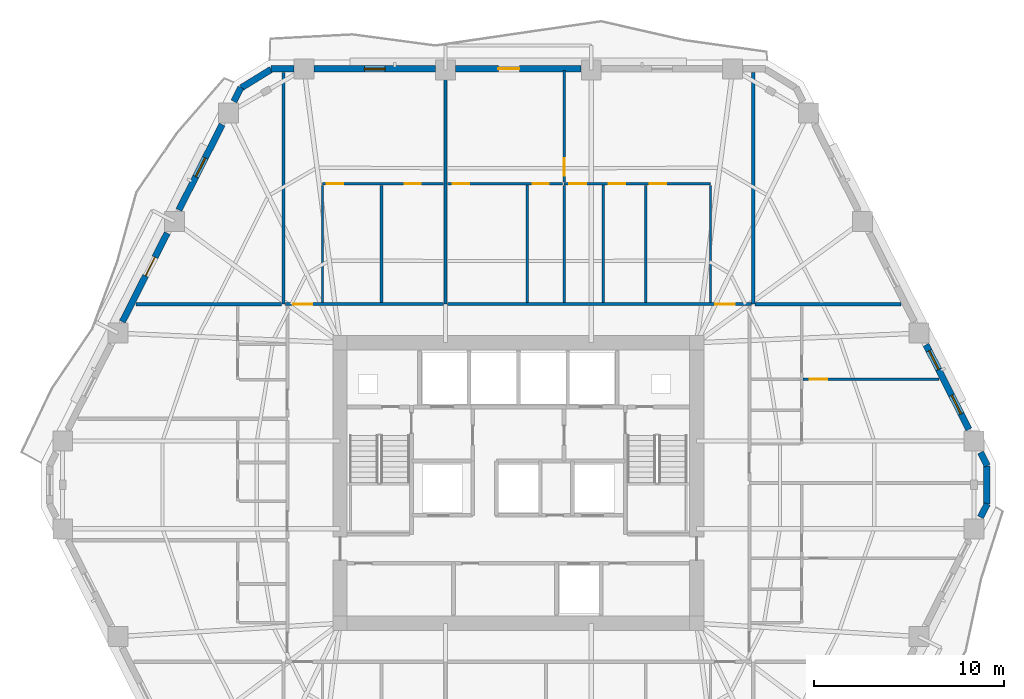
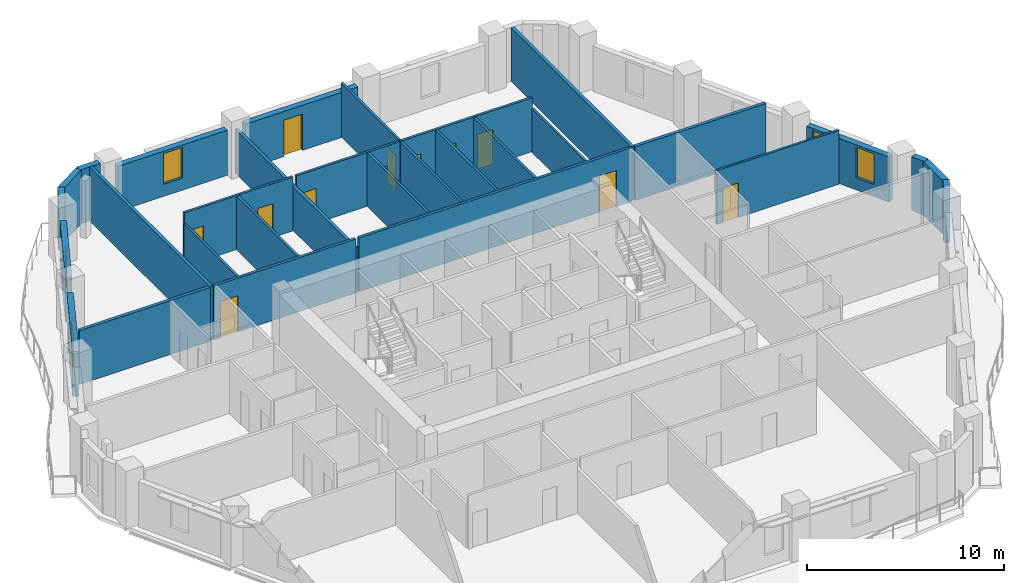
# One storey, part 7 of 12: 30 walls, 13 doors, 4 windows, 17 openings.
"""IFC4 building model written with IfcOpenShell, lengths in metres."""

from ifc_helpers import new_model, si_unit, direction, frame, frame_2d, origin, place, context, subcontext, project, spatial, rectangle, extrude, material, layer, layer_set, type_object, element, fill, save


model = new_model("IFC4")

# Units and contexts
model_context = context("Model", 3, precision=1e-05, world=origin(), true_north=direction((0.0, 1.0)))
body_context = subcontext(model_context, "Body", "Model", "MODEL_VIEW")
ifc_project = project(units=[si_unit("LENGTHUNIT", "METRE"), si_unit("AREAUNIT", "SQUARE_METRE"), si_unit("VOLUMEUNIT", "CUBIC_METRE"), si_unit("PLANEANGLEUNIT", "RADIAN"), si_unit("MASSUNIT", "GRAM", prefix="KILO")], contexts=[model_context])

# Site, building, storey
site_placement = place(None, origin())
site = spatial("IfcSite", under=ifc_project, at=site_placement, CompositionType="ELEMENT")
building_placement = place(site_placement, origin())
building = spatial("IfcBuilding", under=site, at=building_placement, Name="Cinnabar Lancet Tower", CompositionType="ELEMENT")
storey_placement = place(building_placement, frame((0.0, 0.0, 137.449951171875)))
storey = spatial("IfcBuildingStorey", under=building, at=storey_placement, Name="L36", CompositionType="ELEMENT", Elevation=137.449951171875)

# Wall, opening, door
ifc_material_1 = material(Name="Acoustic twin-stud gypsum partition", Category="gypsum")
ifc_layer_1 = layer(ifc_material_1, 0.159912109375)
ifc_layer_set_1 = layer_set([ifc_layer_1], Name="Acoustic twin-stud gypsum partition")
wall_type_1 = type_object("IfcWallType", Name="ARC-WL-CORR-160", PredefinedType="PARTITIONING", material=ifc_layer_set_1)
wall_1_placement = place(storey_placement, frame((20.14501953125, 35.300048828125, 0.0), z_axis=(0.0, 0.0, 1.0), x_axis=(1.0, 0.0, 0.0)))
wall_1 = element("IfcWall", 1, at=wall_1_placement, inside=storey, type_object=wall_type_1, Name="L36 Unit N01 Corridor Wall", PredefinedType="PARTITIONING", context=body_context, shape_type="SweptSolid", body=[
    extrude(rectangle(XDim=8.327880859375, YDim=0.159912109375, at=frame_2d((4.1640625, 0.0))), origin(), (0.0, 0.0, 1.0), 3.340087890625),
])
opening_1_placement = place(wall_1_placement, frame((0.405029296875, 0.0, 0.0)))
opening_1 = element("IfcOpeningElement", 2, at=opening_1_placement, cuts=wall_1, Name="Opening UD-01", PredefinedType="OPENING", context=body_context, shape_type="SweptSolid", body=[
    extrude(rectangle(XDim=1.02001953125, YDim=2.25, at=frame_2d((0.510009765625, 1.125))), frame((0.0, 0.08984375, 0.0), z_axis=(0.0, -1.0, 0.0), x_axis=(1.0, 0.0, 0.0)), (0.0, 0.0, 1.0), 0.179931640625),
])
ifc_material_2 = material(Name="Solid timber fire-rated apartment entrance door", Category="wood")
door_type_1 = type_object("IfcDoorType", Name="ARC-DR-UNIT", OperationType="NOTDEFINED", PredefinedType="DOOR", material=ifc_material_2)
door_1_placement = place(opening_1_placement, origin())
door_1 = element("IfcDoor", 3, at=door_1_placement, inside=storey, type_object=door_type_1, Name="DR-L36-N01-ENT", OperationType="SINGLE_SWING_RIGHT", OverallHeight=2.25, OverallWidth=1.02001953125, PredefinedType="DOOR", context=body_context, shape_type="SweptSolid", body=[
    extrude(rectangle(XDim=1.02001953125, YDim=2.25, at=frame_2d((0.510009765625, 1.125))), frame((0.0, 0.02490234375, 0.0), z_axis=(0.0, -1.0, 0.0), x_axis=(1.0, 0.0, 0.0)), (0.0, 0.0, 1.0), 0.050048828125),
])
fill(opening_1, door_1)

wall_2_placement = place(storey_placement, frame((28.6630859375, 35.300048828125, 0.0), z_axis=(0.0, 0.0, 1.0), x_axis=(1.0, 0.0, 0.0)))
wall_2 = element("IfcWall", 4, at=wall_2_placement, inside=storey, type_object=wall_type_1, Name="L36 Unit N02 Corridor Wall", PredefinedType="PARTITIONING", context=body_context, shape_type="SweptSolid", body=[
    extrude(rectangle(XDim=15.991943359375, YDim=0.159912109375, at=frame_2d((7.99609375, 0.0))), origin(), (0.0, 0.0, 1.0), 3.340087890625),
])
opening_2_placement = place(wall_2_placement, frame((14.0869140625, 0.0, 0.0)))
opening_2 = element("IfcOpeningElement", 5, at=opening_2_placement, cuts=wall_2, Name="Opening UD-01", PredefinedType="OPENING", context=body_context, shape_type="SweptSolid", body=[
    extrude(rectangle(XDim=1.02001953125, YDim=2.25, at=frame_2d((0.510009765625, 1.125))), frame((0.0, 0.08984375, 0.0), z_axis=(0.0, -1.0, 0.0), x_axis=(1.0, 0.0, 0.0)), (0.0, 0.0, 1.0), 0.179931640625),
])
door_2_placement = place(opening_2_placement, origin())
door_2 = element("IfcDoor", 6, at=door_2_placement, inside=storey, type_object=door_type_1, Name="DR-L36-N02-ENT", OperationType="SINGLE_SWING_LEFT", OverallHeight=2.25, OverallWidth=1.02001953125, PredefinedType="DOOR", context=body_context, shape_type="SweptSolid", body=[
    extrude(rectangle(XDim=1.02001953125, YDim=2.25, at=frame_2d((0.510009765625, 1.125))), frame((0.0, 0.02490234375, 0.0), z_axis=(0.0, -1.0, 0.0), x_axis=(1.0, 0.0, 0.0)), (0.0, 0.0, 1.0), 0.050048828125),
])
fill(opening_2, door_2)

# Walls
ifc_material_3 = material(Name="Fire-rated twin-frame acoustic drywall", Category="gypsum")
ifc_layer_2 = layer(ifc_material_3, 0.179931640625)
ifc_layer_set_2 = layer_set([ifc_layer_2], Name="Fire-rated twin-frame acoustic drywall")
wall_type_2 = type_object("IfcWallType", Name="ARC-WL-PARTY-180", PredefinedType="PARTITIONING", material=ifc_layer_set_2)
wall_3_placement = place(storey_placement, frame((20.050048828125, 35.300048828125, 0.0), z_axis=(0.0, 0.0, 1.0), x_axis=(0.0, 1.0, 0.0)))
element("IfcWall", 7, at=wall_3_placement, inside=storey, type_object=wall_type_2, Name="PW-L36-NPTY-200", PredefinedType="PARTITIONING", context=body_context, shape_type="SweptSolid", body=[
    extrude(rectangle(XDim=12.195068359375, YDim=0.179931640625, at=frame_2d((6.09765625, 0.0))), origin(), (0.0, 0.0, 1.0), 3.340087890625),
])
wall_4_placement = place(storey_placement, frame((28.568115234375, 35.300048828125, 0.0), z_axis=(0.0, 0.0, 1.0), x_axis=(0.0, 1.0, 0.0)))
element("IfcWall", 8, at=wall_4_placement, inside=storey, type_object=wall_type_2, Name="PW-L36-NPTY-286", PredefinedType="PARTITIONING", context=body_context, shape_type="SweptSolid", body=[
    extrude(rectangle(XDim=12.195068359375, YDim=0.179931640625, at=frame_2d((6.09765625, 0.0))), origin(), (0.0, 0.0, 1.0), 2.72216796875),
])
wall_5_placement = place(storey_placement, frame((44.75, 35.300048828125, 0.0), z_axis=(0.0, 0.0, 1.0), x_axis=(0.0, 1.0, 0.0)))
element("IfcWall", 9, at=wall_5_placement, inside=storey, type_object=wall_type_2, Name="PW-L36-NPTY-448", PredefinedType="PARTITIONING", context=body_context, shape_type="SweptSolid", body=[
    extrude(rectangle(XDim=12.195068359375, YDim=0.179931640625, at=frame_2d((6.09765625, 0.0))), origin(), (0.0, 0.0, 1.0), 3.340087890625),
])
wall_6_placement = place(storey_placement, frame((12.285888671875, 35.300048828125, 0.0), z_axis=(0.0, 0.0, 1.0), x_axis=(1.0, 0.0, 0.0)))
element("IfcWall", 10, at=wall_6_placement, inside=storey, type_object=wall_type_2, Name="PW-L36-WNB", PredefinedType="PARTITIONING", context=body_context, shape_type="SweptSolid", body=[
    extrude(rectangle(XDim=7.669189453125, YDim=0.179931640625, at=frame_2d((3.83447265625, 0.0))), origin(), (0.0, 0.0, 1.0), 3.340087890625),
])
wall_7_placement = place(storey_placement, frame((44.844970703125, 35.300048828125, 0.0), z_axis=(0.0, 0.0, 1.0), x_axis=(1.0, 0.0, 0.0)))
element("IfcWall", 11, at=wall_7_placement, inside=storey, type_object=wall_type_2, Name="PW-L36-ENB", PredefinedType="PARTITIONING", context=body_context, shape_type="SweptSolid", body=[
    extrude(rectangle(XDim=7.6689453125, YDim=0.179931640625, at=frame_2d((3.83447265625, 0.0))), origin(), (0.0, 0.0, 1.0), 3.340087890625),
])
ifc_material_4 = material(Name="Gypsum plasterboard stud partition", Category="gypsum")
ifc_layer_3 = layer(ifc_material_4, 0.125)
ifc_layer_set_3 = layer_set([ifc_layer_3], Name="Gypsum plasterboard stud partition")
wall_type_3 = type_object("IfcWallType", Name="ARC-WL-UNIT-125", PredefinedType="PARTITIONING", material=ifc_layer_set_3)
for number, where, z_axis, x_axis, name in (
    (12, (22.10009765625, 35.385009765625, 0.0), (0.0, 0.0, 1.0), (0.0, 1.0, 0.0), "UW-L36-N01-FOYE"),
    (13, (42.5, 35.385009765625, 0.0), (0.0, 0.0, 1.0), (0.0, 1.0, 0.0), "UW-L36-N02-FOYW"),
):
    element("IfcWall", number, at=place(storey_placement, frame(where, z_axis=z_axis, x_axis=x_axis)), inside=storey, type_object=wall_type_3, Name=name, PredefinedType="PARTITIONING", context=body_context, shape_type="SweptSolid", body=[
        extrude(rectangle(XDim=6.15087890625, YDim=0.125, at=frame_2d((3.075439453125, 0.0))), origin(), (0.0, 0.0, 1.0), 2.72216796875),
    ])

# Wall, opening, door
wall_8_placement = place(storey_placement, frame((34.802978515625, 41.716064453125, 0.0), z_axis=(0.0, 0.0, 1.0), x_axis=(0.0, 1.0, 0.0)))
wall_8 = element("IfcWall", 14, at=wall_8_placement, inside=storey, type_object=wall_type_3, Name="UW-L36-N02-MBW", PredefinedType="PARTITIONING", context=body_context, shape_type="SweptSolid", body=[
    extrude(rectangle(XDim=5.868896484375, YDim=0.125, at=frame_2d((2.9345703125, 0.0))), origin(), (0.0, 0.0, 1.0), 3.340087890625),
])
opening_3_placement = place(wall_8_placement, frame((0.35009765625, 0.0, 0.0)))
opening_3 = element("IfcOpeningElement", 15, at=opening_3_placement, cuts=wall_8, Name="Opening RD-01", PredefinedType="OPENING", context=body_context, shape_type="SweptSolid", body=[
    extrude(rectangle(XDim=0.919921875, YDim=2.14990234375, at=frame_2d((0.4599609375, 1.074951171875))), frame((0.0, 0.072509765625, 0.0), z_axis=(0.0, -1.0, 0.0), x_axis=(1.0, 0.0, 0.0)), (0.0, 0.0, 1.0), 0.14501953125),
])
ifc_material_5 = material(Name="Engineered timber bedroom door", Category="wood")
door_type_2 = type_object("IfcDoorType", Name="ARC-DR-ROOM", OperationType="NOTDEFINED", PredefinedType="DOOR", material=ifc_material_5)
door_3_placement = place(opening_3_placement, origin())
door_3 = element("IfcDoor", 16, at=door_3_placement, inside=storey, type_object=door_type_2, Name="DR-L36-N02-MBD", OperationType="SINGLE_SWING_RIGHT", OverallHeight=2.14990234375, OverallWidth=0.919921875, PredefinedType="DOOR", context=body_context, shape_type="SweptSolid", body=[
    extrude(rectangle(XDim=0.919921875, YDim=2.14990234375, at=frame_2d((0.4599609375, 1.074951171875))), frame((0.0, 0.02490234375, 0.0), z_axis=(0.0, -1.0, 0.0), x_axis=(1.0, 0.0, 0.0)), (0.0, 0.0, 1.0), 0.050048828125),
])
fill(opening_3, door_3)

wall_9_placement = place(storey_placement, frame((47.375, 31.35205078125, 0.0), z_axis=(0.0, 0.0, 1.0), x_axis=(1.0, 0.0, 0.0)))
wall_9 = element("IfcWall", 17, at=wall_9_placement, inside=storey, type_object=wall_type_3, Name="UW-L36-E02-MBN", PredefinedType="PARTITIONING", context=body_context, shape_type="SweptSolid", body=[
    extrude(rectangle(XDim=7.152099609375, YDim=0.125, at=frame_2d((3.576171875, 0.0))), origin(), (0.0, 0.0, 1.0), 3.340087890625),
])
opening_4_placement = place(wall_9_placement, frame((0.35009765625, 0.0, 0.0)))
opening_4 = element("IfcOpeningElement", 18, at=opening_4_placement, cuts=wall_9, Name="Opening RD-01", PredefinedType="OPENING", context=body_context, shape_type="SweptSolid", body=[
    extrude(rectangle(XDim=0.919921875, YDim=2.14990234375, at=frame_2d((0.4599609375, 1.074951171875))), frame((0.0, 0.072509765625, 0.0), z_axis=(0.0, -1.0, 0.0), x_axis=(1.0, 0.0, 0.0)), (0.0, 0.0, 1.0), 0.14501953125),
])
door_4_placement = place(opening_4_placement, origin())
door_4 = element("IfcDoor", 19, at=door_4_placement, inside=storey, type_object=door_type_2, Name="DR-L36-E02-MBD", OperationType="SINGLE_SWING_LEFT", OverallHeight=2.14990234375, OverallWidth=0.919921875, PredefinedType="DOOR", context=body_context, shape_type="SweptSolid", body=[
    extrude(rectangle(XDim=0.919921875, YDim=2.14990234375, at=frame_2d((0.4599609375, 1.074951171875))), frame((0.0, 0.02490234375, 0.0), z_axis=(0.0, -1.0, 0.0), x_axis=(1.0, 0.0, 0.0)), (0.0, 0.0, 1.0), 0.050048828125),
])
fill(opening_4, door_4)

# Wall, openings, doors
ifc_material_6 = material(Name="Moisture-resistant cement-board plumbing wall", Category="masonry")
ifc_layer_4 = layer(ifc_material_6, 0.139892578125)
ifc_layer_set_4 = layer_set([ifc_layer_4], Name="Moisture-resistant cement-board plumbing wall")
wall_type_4 = type_object("IfcWallType", Name="ARC-WL-WET-140", PredefinedType="PLUMBINGWALL", material=ifc_layer_set_4)
wall_10_placement = place(storey_placement, frame((22.10009765625, 41.64111328125, 0.0), z_axis=(0.0, 0.0, 1.0), x_axis=(1.0, 0.0, 0.0)))
wall_10 = element("IfcWall", 20, at=wall_10_placement, inside=storey, type_object=wall_type_4, Name="UW-L36-N01-SPL", PredefinedType="PLUMBINGWALL", context=body_context, shape_type="SweptSolid", body=[
    extrude(rectangle(XDim=6.372802734375, YDim=0.139892578125, at=frame_2d((3.1865234375, 0.0))), origin(), (0.0, 0.0, 1.0), 3.340087890625),
])
opening_5_placement = place(wall_10_placement, frame((4.31396484375, 0.0, 0.0)))
opening_5 = element("IfcOpeningElement", 21, at=opening_5_placement, cuts=wall_10, Name="Opening BD-01", PredefinedType="OPENING", context=body_context, shape_type="SweptSolid", body=[
    extrude(rectangle(XDim=0.860107421875, YDim=2.10009765625, at=frame_2d((0.43017578125, 1.050048828125))), frame((0.0, 0.079833984375, 0.0), z_axis=(0.0, -1.0, 0.0), x_axis=(1.0, 0.0, 0.0)), (0.0, 0.0, 1.0), 0.159912109375),
])
opening_6_placement = place(wall_10_placement, frame((0.219970703125, 0.0, 0.0)))
opening_6 = element("IfcOpeningElement", 22, at=opening_6_placement, cuts=wall_10, Name="Opening RD-02", PredefinedType="OPENING", context=body_context, shape_type="SweptSolid", body=[
    extrude(rectangle(XDim=0.8798828125, YDim=2.14990234375, at=frame_2d((0.43994140625, 1.074951171875))), frame((0.0, 0.079833984375, 0.0), z_axis=(0.0, -1.0, 0.0), x_axis=(1.0, 0.0, 0.0)), (0.0, 0.0, 1.0), 0.159912109375),
])
ifc_material_7 = material(Name="Moisture-resistant timber bathroom door", Category="wood")
door_type_3 = type_object("IfcDoorType", Name="ARC-DR-BATH", OperationType="NOTDEFINED", PredefinedType="DOOR", material=ifc_material_7)
door_5_placement = place(opening_5_placement, origin())
door_5 = element("IfcDoor", 23, at=door_5_placement, inside=storey, type_object=door_type_3, Name="DR-L36-N01-BTH", OperationType="SINGLE_SWING_RIGHT", OverallHeight=2.10009765625, OverallWidth=0.860107421875, PredefinedType="DOOR", context=body_context, shape_type="SweptSolid", body=[
    extrude(rectangle(XDim=0.860107421875, YDim=2.10009765625, at=frame_2d((0.43017578125, 1.050048828125))), frame((0.0, 0.02490234375, 0.0), z_axis=(0.0, -1.0, 0.0), x_axis=(1.0, 0.0, 0.0)), (0.0, 0.0, 1.0), 0.050048828125),
])
fill(opening_5, door_5)
ifc_material_8 = material(Name="Engineered timber study door", Category="wood")
door_type_4 = type_object("IfcDoorType", Name="ARC-DR-STUDY", OperationType="NOTDEFINED", PredefinedType="DOOR", material=ifc_material_8)
door_6_placement = place(opening_6_placement, origin())
door_6 = element("IfcDoor", 24, at=door_6_placement, inside=storey, type_object=door_type_4, Name="DR-L36-N01-KIT", OperationType="SINGLE_SWING_LEFT", OverallHeight=2.14990234375, OverallWidth=0.8798828125, PredefinedType="DOOR", context=body_context, shape_type="SweptSolid", body=[
    extrude(rectangle(XDim=0.8798828125, YDim=2.14990234375, at=frame_2d((0.43994140625, 1.074951171875))), frame((0.0, 0.02490234375, 0.0), z_axis=(0.0, -1.0, 0.0), x_axis=(1.0, 0.0, 0.0)), (0.0, 0.0, 1.0), 0.050048828125),
])
fill(opening_6, door_6)

# Wall
wall_11_placement = place(storey_placement, frame((25.205078125, 35.385009765625, 0.0), z_axis=(0.0, 0.0, 1.0), x_axis=(0.0, 1.0, 0.0)))
element("IfcWall", 25, at=wall_11_placement, inside=storey, type_object=wall_type_4, Name="UW-L36-N01-KDV", PredefinedType="PLUMBINGWALL", context=body_context, shape_type="SweptSolid", body=[
    extrude(rectangle(XDim=6.15087890625, YDim=0.139892578125, at=frame_2d((3.075439453125, 0.0))), origin(), (0.0, 0.0, 1.0), 3.340087890625),
])

# Wall, openings, doors
wall_12_placement = place(storey_placement, frame((34.802978515625, 41.64111328125, 0.0), z_axis=(0.0, 0.0, 1.0), x_axis=(1.0, 0.0, 0.0)))
wall_12 = element("IfcWall", 26, at=wall_12_placement, inside=storey, type_object=wall_type_4, Name="UW-L36-N02-SPL", PredefinedType="PLUMBINGWALL", context=body_context, shape_type="SweptSolid", body=[
    extrude(rectangle(XDim=7.697021484375, YDim=0.139892578125, at=frame_2d((3.8486328125, 0.0))), origin(), (0.0, 0.0, 1.0), 3.340087890625),
])
opening_7_placement = place(wall_12_placement, frame((0.280029296875, 0.0, 0.0)))
opening_7 = element("IfcOpeningElement", 27, at=opening_7_placement, cuts=wall_12, Name="Opening RD-02", PredefinedType="OPENING", context=body_context, shape_type="SweptSolid", body=[
    extrude(rectangle(XDim=0.8798828125, YDim=2.14990234375, at=frame_2d((0.43994140625, 1.074951171875))), frame((0.0, 0.079833984375, 0.0), z_axis=(0.0, -1.0, 0.0), x_axis=(1.0, 0.0, 0.0)), (0.0, 0.0, 1.0), 0.159912109375),
])
opening_8_placement = place(wall_12_placement, frame((2.343994140625, 0.0, 0.0)))
opening_8 = element("IfcOpeningElement", 28, at=opening_8_placement, cuts=wall_12, Name="Opening BD-01", PredefinedType="OPENING", context=body_context, shape_type="SweptSolid", body=[
    extrude(rectangle(XDim=0.860107421875, YDim=2.10009765625, at=frame_2d((0.43017578125, 1.050048828125))), frame((0.0, 0.079833984375, 0.0), z_axis=(0.0, -1.0, 0.0), x_axis=(1.0, 0.0, 0.0)), (0.0, 0.0, 1.0), 0.159912109375),
])
opening_9_placement = place(wall_12_placement, frame((4.4970703125, 0.0, 0.0)))
opening_9 = element("IfcOpeningElement", 29, at=opening_9_placement, cuts=wall_12, Name="Opening RD-02", PredefinedType="OPENING", context=body_context, shape_type="SweptSolid", body=[
    extrude(rectangle(XDim=0.8798828125, YDim=2.14990234375, at=frame_2d((0.43994140625, 1.074951171875))), frame((0.0, 0.079833984375, 0.0), z_axis=(0.0, -1.0, 0.0), x_axis=(1.0, 0.0, 0.0)), (0.0, 0.0, 1.0), 0.159912109375),
])
door_7_placement = place(opening_8_placement, origin())
door_7 = element("IfcDoor", 30, at=door_7_placement, inside=storey, type_object=door_type_3, Name="DR-L36-N02-BTH", OperationType="SINGLE_SWING_LEFT", OverallHeight=2.10009765625, OverallWidth=0.860107421875, PredefinedType="DOOR", context=body_context, shape_type="SweptSolid", body=[
    extrude(rectangle(XDim=0.860107421875, YDim=2.10009765625, at=frame_2d((0.43017578125, 1.050048828125))), frame((0.0, 0.02490234375, 0.0), z_axis=(0.0, -1.0, 0.0), x_axis=(1.0, 0.0, 0.0)), (0.0, 0.0, 1.0), 0.050048828125),
])
fill(opening_8, door_7)
door_8_placement = place(opening_7_placement, origin())
door_8 = element("IfcDoor", 31, at=door_8_placement, inside=storey, type_object=door_type_4, Name="DR-L36-N02-BTH-WDR", OperationType="SINGLE_SWING_RIGHT", OverallHeight=2.14990234375, OverallWidth=0.8798828125, PredefinedType="DOOR", context=body_context, shape_type="SweptSolid", body=[
    extrude(rectangle(XDim=0.8798828125, YDim=2.14990234375, at=frame_2d((0.43994140625, 1.074951171875))), frame((0.0, 0.02490234375, 0.0), z_axis=(0.0, -1.0, 0.0), x_axis=(1.0, 0.0, 0.0)), (0.0, 0.0, 1.0), 0.050048828125),
])
fill(opening_7, door_8)
door_9_placement = place(opening_9_placement, origin())
door_9 = element("IfcDoor", 32, at=door_9_placement, inside=storey, type_object=door_type_4, Name="DR-L36-N02-KIT", OperationType="SINGLE_SWING_LEFT", OverallHeight=2.14990234375, OverallWidth=0.8798828125, PredefinedType="DOOR", context=body_context, shape_type="SweptSolid", body=[
    extrude(rectangle(XDim=0.8798828125, YDim=2.14990234375, at=frame_2d((0.43994140625, 1.074951171875))), frame((0.0, 0.02490234375, 0.0), z_axis=(0.0, -1.0, 0.0), x_axis=(1.0, 0.0, 0.0)), (0.0, 0.0, 1.0), 0.050048828125),
])
fill(opening_9, door_9)

wall_13_placement = place(storey_placement, frame((28.6630859375, 41.64111328125, 0.0), z_axis=(0.0, 0.0, 1.0), x_axis=(1.0, 0.0, 0.0)))
wall_13 = element("IfcWall", 33, at=wall_13_placement, inside=storey, type_object=wall_type_4, Name="UW-L36-N02-SPM", PredefinedType="PLUMBINGWALL", context=body_context, shape_type="SweptSolid", body=[
    extrude(rectangle(XDim=6.06494140625, YDim=0.139892578125, at=frame_2d((3.032470703125, 0.0))), origin(), (0.0, 0.0, 1.0), 3.340087890625),
])
opening_10_placement = place(wall_13_placement, frame((0.280029296875, 0.0, 0.0)))
opening_10 = element("IfcOpeningElement", 34, at=opening_10_placement, cuts=wall_13, Name="Opening RD-02", PredefinedType="OPENING", context=body_context, shape_type="SweptSolid", body=[
    extrude(rectangle(XDim=0.8798828125, YDim=2.14990234375, at=frame_2d((0.43994140625, 1.074951171875))), frame((0.0, 0.079833984375, 0.0), z_axis=(0.0, -1.0, 0.0), x_axis=(1.0, 0.0, 0.0)), (0.0, 0.0, 1.0), 0.159912109375),
])
opening_11_placement = place(wall_13_placement, frame((4.48388671875, 0.0, 0.0)))
opening_11 = element("IfcOpeningElement", 35, at=opening_11_placement, cuts=wall_13, Name="Opening BD-01", PredefinedType="OPENING", context=body_context, shape_type="SweptSolid", body=[
    extrude(rectangle(XDim=0.860107421875, YDim=2.10009765625, at=frame_2d((0.43017578125, 1.050048828125))), frame((0.0, 0.079833984375, 0.0), z_axis=(0.0, -1.0, 0.0), x_axis=(1.0, 0.0, 0.0)), (0.0, 0.0, 1.0), 0.159912109375),
])
door_10_placement = place(opening_11_placement, origin())
door_10 = element("IfcDoor", 36, at=door_10_placement, inside=storey, type_object=door_type_3, Name="DR-L36-N02-ENS", OperationType="SINGLE_SWING_RIGHT", OverallHeight=2.10009765625, OverallWidth=0.860107421875, PredefinedType="DOOR", context=body_context, shape_type="SweptSolid", body=[
    extrude(rectangle(XDim=0.860107421875, YDim=2.10009765625, at=frame_2d((0.43017578125, 1.050048828125))), frame((0.0, 0.02490234375, 0.0), z_axis=(0.0, -1.0, 0.0), x_axis=(1.0, 0.0, 0.0)), (0.0, 0.0, 1.0), 0.050048828125),
])
fill(opening_11, door_10)
door_11_placement = place(opening_10_placement, origin())
door_11 = element("IfcDoor", 37, at=door_11_placement, inside=storey, type_object=door_type_4, Name="DR-L36-N02-ENS-WDR", OperationType="SINGLE_SWING_LEFT", OverallHeight=2.14990234375, OverallWidth=0.8798828125, PredefinedType="DOOR", context=body_context, shape_type="SweptSolid", body=[
    extrude(rectangle(XDim=0.8798828125, YDim=2.14990234375, at=frame_2d((0.43994140625, 1.074951171875))), frame((0.0, 0.02490234375, 0.0), z_axis=(0.0, -1.0, 0.0), x_axis=(1.0, 0.0, 0.0)), (0.0, 0.0, 1.0), 0.050048828125),
])
fill(opening_10, door_11)

# Walls
for number, where, z_axis, x_axis, name in (
    (38, (39.10009765625, 35.385009765625, 0.0), (0.0, 0.0, 1.0), (0.0, 1.0, 0.0), "UW-L36-N02-KBD"),
    (39, (34.802978515625, 35.385009765625, 0.0), (0.0, 0.0, 1.0), (0.0, 1.0, 0.0), "UW-L36-N02-ENSW"),
):
    element("IfcWall", number, at=place(storey_placement, frame(where, z_axis=z_axis, x_axis=x_axis)), inside=storey, type_object=wall_type_4, Name=name, PredefinedType="PLUMBINGWALL", context=body_context, shape_type="SweptSolid", body=[
        extrude(rectangle(XDim=6.15087890625, YDim=0.139892578125, at=frame_2d((3.075439453125, 0.0))), origin(), (0.0, 0.0, 1.0), 3.340087890625),
    ])
for number, where, z_axis, x_axis, name in (
    (40, (36.866943359375, 35.385009765625, 0.0), (0.0, 0.0, 1.0), (0.0, 1.0, 0.0), "UW-L36-N02-BTH-WDV"),
    (41, (32.866943359375, 35.385009765625, 0.0), (0.0, 0.0, 1.0), (0.0, 1.0, 0.0), "UW-L36-N02-ENS-WDV"),
):
    element("IfcWall", number, at=place(storey_placement, frame(where, z_axis=z_axis, x_axis=x_axis)), inside=storey, type_object=wall_type_4, Name=name, PredefinedType="PLUMBINGWALL", context=body_context, shape_type="SweptSolid", body=[
        extrude(rectangle(XDim=6.1708984375, YDim=0.139892578125, at=frame_2d((3.08544921875, 0.0))), origin(), (0.0, 0.0, 1.0), 3.340087890625),
    ])
ifc_material_9 = material(Name="Cinnabar red clay brick", Category="masonry")
ifc_layer_5 = layer(ifc_material_9, 0.340087890625)
ifc_layer_set_5 = layer_set([ifc_layer_5], Name="Cinnabar red clay brick")
wall_type_5 = type_object("IfcWallType", Name="ENV-WL-BRK-RED-340", PredefinedType="STANDARD", material=ifc_layer_set_5)
wall_14_placement = place(storey_placement, frame((57.032958984375, 24.802978515625, 0.0), z_axis=(0.0, 0.0, 1.0), x_axis=(0.0, 1.0, 0.0)))
element("IfcWall", 42, at=wall_14_placement, inside=storey, type_object=wall_type_5, Name="L36 Chamfered Corner Brick Pier 3.1", PredefinedType="STANDARD", context=body_context, shape_type="SweptSolid", body=[
    extrude(rectangle(XDim=1.994140625, YDim=0.340087890625, at=frame_2d((0.9970703125, 0.0))), origin(), (0.0, 0.0, 1.0), 3.340087890625),
])
wall_15_placement = place(storey_placement, frame((19.403076171875, 47.64501953125, 0.0), z_axis=(0.0, 0.0, 1.0), x_axis=(-0.851798915137, -0.523868884523, 0.0)))
element("IfcWall", 43, at=wall_15_placement, inside=storey, type_object=wall_type_5, Name="L36 Chamfered Corner Brick Pier 5.1", PredefinedType="STANDARD", context=body_context, shape_type="SweptSolid", body=[
    extrude(rectangle(XDim=1.847900390625, YDim=0.340087890625, at=frame_2d((0.923828125, 0.0))), origin(), (0.0, 0.0, 1.0), 3.340087890625),
])
for number, where, z_axis, x_axis, name in (
    (44, (56.699951171875, 24.096923828125, 0.0), (0.0, 0.0, 1.0), (0.451819324107, 0.89210946546, 0.0), "L36 Face 2 Masonry Bay Wall 5"),
    (45, (57.053955078125, 26.803955078125, 0.0), (0.0, 0.0, 1.0), (-0.451819324107, 0.89210946546, 0.0), "L36 Face 3 Masonry Bay Wall 1"),
):
    element("IfcWall", number, at=place(storey_placement, frame(where, z_axis=z_axis, x_axis=x_axis)), inside=storey, type_object=wall_type_5, Name=name, PredefinedType="STANDARD", context=body_context, shape_type="SweptSolid", body=[
        extrude(rectangle(XDim=0.783447265625, YDim=0.340087890625, at=frame_2d((0.3916015625, 0.0))), origin(), (0.0, 0.0, 1.0), 3.340087890625),
    ])

# Wall, openings, windows
wall_16_placement = place(storey_placement, frame((56.0869140625, 28.715087890625, 0.0), z_axis=(0.0, 0.0, 1.0), x_axis=(-0.451431617681, 0.892305718102, 0.0)))
wall_16 = element("IfcWall", 46, at=wall_16_placement, inside=storey, type_object=wall_type_5, Name="L36 Face 3 Masonry Bay Wall 2", PredefinedType="STANDARD", context=body_context, shape_type="SweptSolid", body=[
    extrude(rectangle(XDim=4.994873046875, YDim=0.340087890625, at=frame_2d((2.49755859375, 0.0))), origin(), (0.0, 0.0, 1.0), 2.797119140625),
])
opening_12_placement = place(wall_16_placement, frame((0.9189453125, 0.0, 0.75)))
opening_12 = element("IfcOpeningElement", 47, at=opening_12_placement, cuts=wall_16, Name="Opening WN-04", PredefinedType="OPENING", context=body_context, shape_type="SweptSolid", body=[
    extrude(rectangle(XDim=1.10009765625, YDim=1.89697265625, at=frame_2d((0.550048828125, 0.948486328125))), frame((0.0, 0.179931640625, 0.0), z_axis=(0.0, -1.0, 0.0), x_axis=(1.0, 0.0, 0.0)), (0.0, 0.0, 1.0), 0.360107421875),
])
opening_13_placement = place(wall_16_placement, frame((3.535888671875, 0.0, 0.75)))
opening_13 = element("IfcOpeningElement", 48, at=opening_13_placement, cuts=wall_16, Name="Opening WN-04", PredefinedType="OPENING", context=body_context, shape_type="SweptSolid", body=[
    extrude(rectangle(XDim=1.10009765625, YDim=1.89697265625, at=frame_2d((0.550048828125, 0.948486328125))), frame((0.0, 0.179931640625, 0.0), z_axis=(0.0, -1.0, 0.0), x_axis=(1.0, 0.0, 0.0)), (0.0, 0.0, 1.0), 0.360107421875),
])
ifc_material_10 = material(Name="Thermally broken bronze-anodized aluminium tall lancet window", Category="aluminium")
window_type = type_object("IfcWindowType", Name="ENV-WN-LANCET-1100", PartitioningType="SINGLE_PANEL", PredefinedType="WINDOW", material=ifc_material_10)
window_1_placement = place(opening_12_placement, origin())
window_1 = element("IfcWindow", 49, at=window_1_placement, inside=storey, type_object=window_type, Name="L36 Face 3 Gothic Lancet Window 2", OverallHeight=1.89697265625, OverallWidth=1.10009765625, PartitioningType="SINGLE_PANEL", PredefinedType="WINDOW", context=body_context, shape_type="SweptSolid", body=[
    extrude(rectangle(XDim=1.10009765625, YDim=1.89697265625, at=frame_2d((0.550048828125, 0.948486328125))), frame((0.0, 0.030029296875, 0.0), z_axis=(0.0, -1.0, 0.0), x_axis=(1.0, 0.0, 0.0)), (0.0, 0.0, 1.0), 0.06005859375),
])
fill(opening_12, window_1)
window_2_placement = place(opening_13_placement, origin())
window_2 = element("IfcWindow", 50, at=window_2_placement, inside=storey, type_object=window_type, Name="L36 Split-Bay Gothic Lancet Window 105", OverallHeight=1.89697265625, OverallWidth=1.10009765625, PartitioningType="SINGLE_PANEL", PredefinedType="WINDOW", context=body_context, shape_type="SweptSolid", body=[
    extrude(rectangle(XDim=1.10009765625, YDim=1.89697265625, at=frame_2d((0.550048828125, 0.948486328125))), frame((0.0, 0.030029296875, 0.0), z_axis=(0.0, -1.0, 0.0), x_axis=(1.0, 0.0, 0.0)), (0.0, 0.0, 1.0), 0.06005859375),
])
fill(opening_13, window_2)

# Wall, opening, door
wall_17_placement = place(storey_placement, frame((35.702880859375, 47.669921875, 0.0), z_axis=(0.0, 0.0, 1.0), x_axis=(-1.0, 0.0, 0.0)))
wall_17 = element("IfcWall", 51, at=wall_17_placement, inside=storey, type_object=wall_type_5, Name="L36 Face 4 Masonry Bay Wall 3", PredefinedType="STANDARD", context=body_context, shape_type="SweptSolid", body=[
    extrude(rectangle(XDim=6.60595703125, YDim=0.340087890625, at=frame_2d((3.302978515625, 0.0))), origin(), (0.0, 0.0, 1.0), 2.797119140625),
])
opening_14_placement = place(wall_17_placement, frame((3.25390625, 0.0, 0.0)))
opening_14 = element("IfcOpeningElement", 52, at=opening_14_placement, cuts=wall_17, Name="Opening TD-01", PredefinedType="OPENING", context=body_context, shape_type="SweptSolid", body=[
    extrude(rectangle(XDim=1.10009765625, YDim=2.25, at=frame_2d((0.550048828125, 1.125))), frame((0.0, 0.179931640625, 0.0), z_axis=(0.0, -1.0, 0.0), x_axis=(1.0, 0.0, 0.0)), (0.0, 0.0, 1.0), 0.360107421875),
])
ifc_material_11 = material(Name="Thermally broken low-E glazed balcony terrace door", Category="wood")
door_type_5 = type_object("IfcDoorType", Name="ARC-DR-BALC", OperationType="NOTDEFINED", PredefinedType="DOOR", material=ifc_material_11)
door_12_placement = place(opening_14_placement, origin())
door_12 = element("IfcDoor", 53, at=door_12_placement, inside=storey, type_object=door_type_5, Name="L36 Face 4 Glazed Terrace Door", OperationType="SINGLE_SWING_RIGHT", OverallHeight=2.25, OverallWidth=1.10009765625, PredefinedType="DOOR", context=body_context, shape_type="SweptSolid", body=[
    extrude(rectangle(XDim=1.10009765625, YDim=2.25, at=frame_2d((0.550048828125, 1.125))), frame((0.0, 0.02490234375, 0.0), z_axis=(0.0, -1.0, 0.0), x_axis=(1.0, 0.0, 0.0)), (0.0, 0.0, 1.0), 0.050048828125),
])
fill(opening_14, door_12)

# Wall, opening, window
wall_18_placement = place(storey_placement, frame((28.0390625, 47.669921875, 0.0), z_axis=(0.0, 0.0, 1.0), x_axis=(-1.0, 0.0, 0.0)))
wall_18 = element("IfcWall", 54, at=wall_18_placement, inside=storey, type_object=wall_type_5, Name="L36 Face 4 Masonry Bay Wall 4", PredefinedType="STANDARD", context=body_context, shape_type="SweptSolid", body=[
    extrude(rectangle(XDim=6.379150390625, YDim=0.340087890625, at=frame_2d((3.189453125, 0.0))), origin(), (0.0, 0.0, 1.0), 2.797119140625),
])
opening_15_placement = place(wall_18_placement, frame((2.639892578125, 0.0, 0.75)))
opening_15 = element("IfcOpeningElement", 55, at=opening_15_placement, cuts=wall_18, Name="Opening WN-04", PredefinedType="OPENING", context=body_context, shape_type="SweptSolid", body=[
    extrude(rectangle(XDim=1.10009765625, YDim=1.89697265625, at=frame_2d((0.550048828125, 0.948486328125))), frame((0.0, 0.179931640625, 0.0), z_axis=(0.0, -1.0, 0.0), x_axis=(1.0, 0.0, 0.0)), (0.0, 0.0, 1.0), 0.360107421875),
])
window_3_placement = place(opening_15_placement, origin())
window_3 = element("IfcWindow", 56, at=window_3_placement, inside=storey, type_object=window_type, Name="L36 Face 4 Gothic Lancet Window 4", OverallHeight=1.89697265625, OverallWidth=1.10009765625, PartitioningType="SINGLE_PANEL", PredefinedType="WINDOW", context=body_context, shape_type="SweptSolid", body=[
    extrude(rectangle(XDim=1.10009765625, YDim=1.89697265625, at=frame_2d((0.550048828125, 0.948486328125))), frame((0.0, 0.030029296875, 0.0), z_axis=(0.0, -1.0, 0.0), x_axis=(1.0, 0.0, 0.0)), (0.0, 0.0, 1.0), 0.06005859375),
])
fill(opening_15, window_3)

# Walls
wall_19_placement = place(storey_placement, frame((20.60205078125, 47.669921875, 0.0), z_axis=(0.0, 0.0, 1.0), x_axis=(-1.0, 0.0, 0.0)))
element("IfcWall", 57, at=wall_19_placement, inside=storey, type_object=wall_type_5, Name="L36 Face 4 Masonry Bay Wall 5", PredefinedType="STANDARD", context=body_context, shape_type="SweptSolid", body=[
    extrude(rectangle(XDim=1.2041015625, YDim=0.340087890625, at=frame_2d((0.60205078125, 0.0))), origin(), (0.0, 0.0, 1.0), 3.340087890625),
])
wall_20_placement = place(storey_placement, frame((17.80908203125, 46.693115234375, 0.0), z_axis=(0.0, 0.0, 1.0), x_axis=(-0.45160540153, -0.89221777684, 0.0)))
element("IfcWall", 58, at=wall_20_placement, inside=storey, type_object=wall_type_5, Name="L36 Face 5 Masonry Bay Wall 1", PredefinedType="STANDARD", context=body_context, shape_type="SweptSolid", body=[
    extrude(rectangle(XDim=0.82177734375, YDim=0.340087890625, at=frame_2d((0.410888671875, 0.0))), origin(), (0.0, 0.0, 1.0), 3.340087890625),
])

# Wall, opening, window
wall_21_placement = place(storey_placement, frame((16.824951171875, 44.748046875, 0.0), z_axis=(0.0, 0.0, 1.0), x_axis=(-0.451548465867, -0.892246593142, 0.0)))
wall_21 = element("IfcWall", 59, at=wall_21_placement, inside=storey, type_object=wall_type_5, Name="L36 Face 5 Masonry Bay Wall 2", PredefinedType="STANDARD", context=body_context, shape_type="SweptSolid", body=[
    extrude(rectangle(XDim=5.040283203125, YDim=0.340087890625, at=frame_2d((2.52001953125, 0.0))), origin(), (0.0, 0.0, 1.0), 2.797119140625),
])
opening_16_placement = place(wall_21_placement, frame((1.969970703125, 0.0, 0.75)))
opening_16 = element("IfcOpeningElement", 60, at=opening_16_placement, cuts=wall_21, Name="Opening WN-04", PredefinedType="OPENING", context=body_context, shape_type="SweptSolid", body=[
    extrude(rectangle(XDim=1.10009765625, YDim=1.89697265625, at=frame_2d((0.550048828125, 0.948486328125))), frame((0.0, 0.179931640625, 0.0), z_axis=(0.0, -1.0, 0.0), x_axis=(1.0, 0.0, 0.0)), (0.0, 0.0, 1.0), 0.360107421875),
])
window_4_placement = place(opening_16_placement, origin())
window_4 = element("IfcWindow", 61, at=window_4_placement, inside=storey, type_object=window_type, Name="L36 Face 5 Gothic Lancet Window 2", OverallHeight=1.89697265625, OverallWidth=1.10009765625, PartitioningType="SINGLE_PANEL", PredefinedType="WINDOW", context=body_context, shape_type="SweptSolid", body=[
    extrude(rectangle(XDim=1.10009765625, YDim=1.89697265625, at=frame_2d((0.550048828125, 0.948486328125))), frame((0.0, 0.030029296875, 0.0), z_axis=(0.0, -1.0, 0.0), x_axis=(1.0, 0.0, 0.0)), (0.0, 0.0, 1.0), 0.06005859375),
])
fill(opening_16, window_4)

# Wall, opening, door
wall_22_placement = place(storey_placement, frame((13.93701171875, 39.0390625, 0.0), z_axis=(0.0, 0.0, 1.0), x_axis=(-0.451567731634, -0.892236842855, 0.0)))
wall_22 = element("IfcWall", 62, at=wall_22_placement, inside=storey, type_object=wall_type_5, Name="L36 Face 5 Masonry Bay Wall 3", PredefinedType="STANDARD", context=body_context, shape_type="SweptSolid", body=[
    extrude(rectangle(XDim=5.219482421875, YDim=0.340087890625, at=frame_2d((2.60986328125, 0.0))), origin(), (0.0, 0.0, 1.0), 2.797119140625),
])
opening_17_placement = place(wall_22_placement, frame((1.419921875, 0.0, 0.0)))
opening_17 = element("IfcOpeningElement", 63, at=opening_17_placement, cuts=wall_22, Name="Opening TD-01", PredefinedType="OPENING", context=body_context, shape_type="SweptSolid", body=[
    extrude(rectangle(XDim=1.10009765625, YDim=2.25, at=frame_2d((0.550048828125, 1.125))), frame((0.0, 0.179931640625, 0.0), z_axis=(0.0, -1.0, 0.0), x_axis=(1.0, 0.0, 0.0)), (0.0, 0.0, 1.0), 0.360107421875),
])
door_13_placement = place(opening_17_placement, origin())
door_13 = element("IfcDoor", 64, at=door_13_placement, inside=storey, type_object=door_type_5, Name="L36 Face 5 Glazed Terrace Door", OperationType="SINGLE_SWING_LEFT", OverallHeight=2.25, OverallWidth=1.10009765625, PredefinedType="DOOR", context=body_context, shape_type="SweptSolid", body=[
    extrude(rectangle(XDim=1.10009765625, YDim=2.25, at=frame_2d((0.550048828125, 1.125))), frame((0.0, 0.02490234375, 0.0), z_axis=(0.0, -1.0, 0.0), x_axis=(1.0, 0.0, 0.0)), (0.0, 0.0, 1.0), 0.050048828125),
])
fill(opening_17, door_13)

save(model, "model.ifc")
